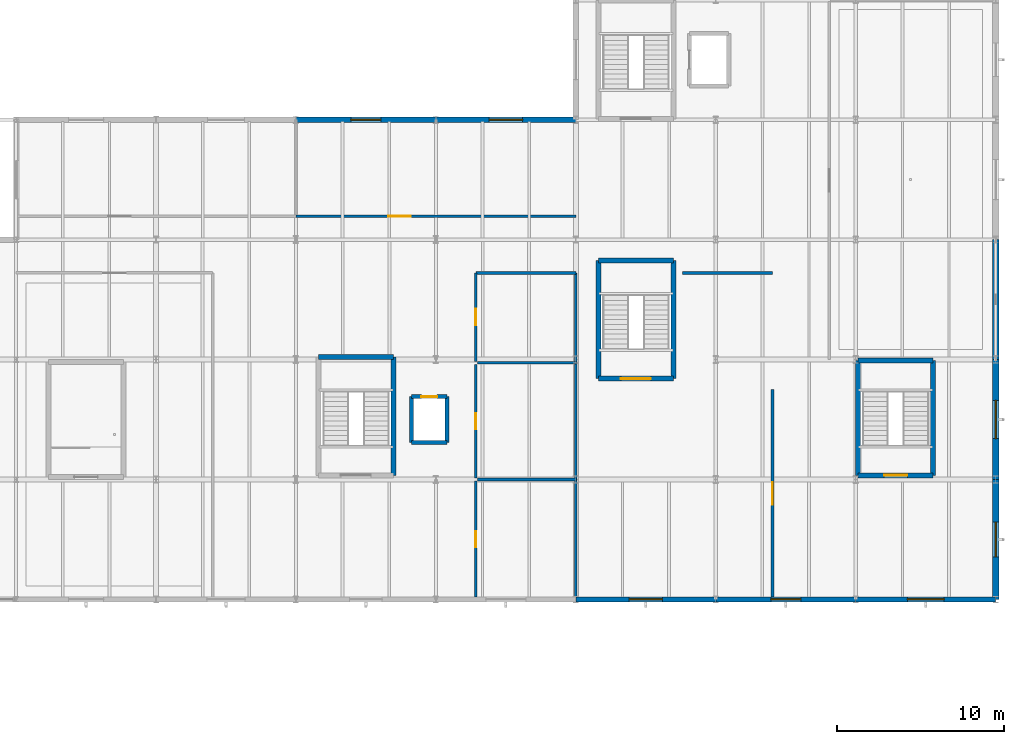
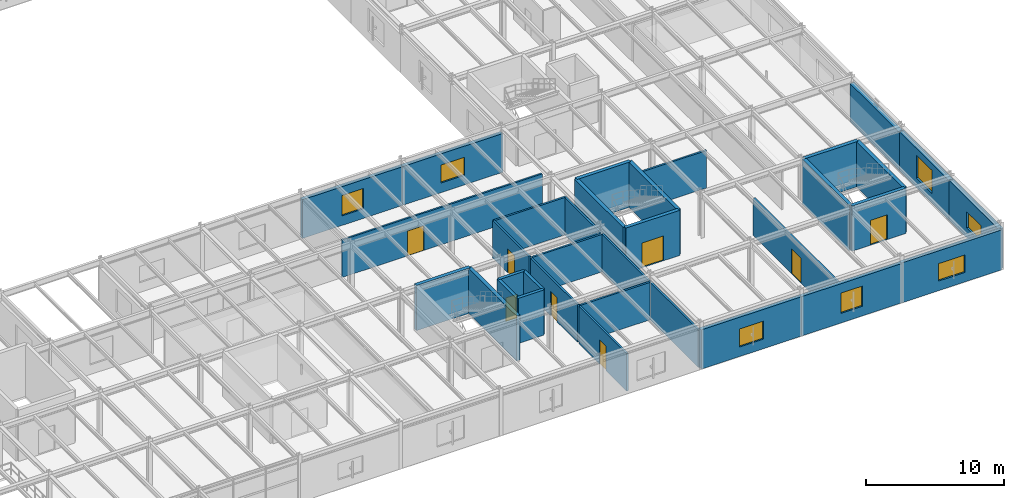
# One storey, part 67 of 109: 32 walls, 8 doors, 7 windows, 15 openings.
"""IFC4 building model written with IfcOpenShell, lengths in metres."""

from ifc_helpers import new_model, si_unit, derived_unit, direction, frame, frame_2d, origin, place, context, subcontext, project, spatial, rectangle, extrude, material, layer, layer_set, type_object, element, fill, save


model = new_model("IFC4")

# Units and contexts
model_context = context("Model", 3, precision=1e-05, world=origin(), true_north=direction((0.0, 1.0)))
body_context = subcontext(model_context, "Body", "Model", "MODEL_VIEW")
ifc_project = project(units=[si_unit("LENGTHUNIT", "METRE"), si_unit("AREAUNIT", "SQUARE_METRE"), si_unit("VOLUMEUNIT", "CUBIC_METRE"), si_unit("PLANEANGLEUNIT", "RADIAN"), si_unit("MASSUNIT", "GRAM", prefix="KILO"), derived_unit("THERMALTRANSMITTANCEUNIT", [(si_unit("MASSUNIT", "GRAM", prefix="KILO"), 1), (si_unit("TIMEUNIT", "SECOND"), -3), (si_unit("THERMODYNAMICTEMPERATUREUNIT", "KELVIN"), -1)])], contexts=[model_context])

# Site, building, storey
site_placement = place(None, origin())
site = spatial("IfcSite", under=ifc_project, at=site_placement, CompositionType="ELEMENT")
building_placement = place(site_placement, origin())
building = spatial("IfcBuilding", under=site, at=building_placement, Name="Kharveza Railside Sports Centre", CompositionType="ELEMENT")
storey_placement = place(building_placement, frame((0.0, 0.0, 4.5)))
storey = spatial("IfcBuildingStorey", under=building, at=storey_placement, Name="L01", CompositionType="ELEMENT", Elevation=4.5)

# Wall, opening, window
ifc_material_1 = material(Name="Precast concrete C40/50", Category="concrete")
ifc_layer_1 = layer(ifc_material_1, 0.3798828125, Name="Precast concrete C40/50")
ifc_layer_set_1 = layer_set([ifc_layer_1], Name="Precast concrete C40/50")
wall_type_1 = type_object("IfcWallType", Name="WL-BM380", PredefinedType="SOLIDWALL", material=ifc_layer_set_1)
wall_1_placement = place(storey_placement, frame((168.0, 7.199951171875, 0.0), z_axis=(0.0, 0.0, 1.0), x_axis=(0.0, 1.0, 0.0)))
wall_1 = element("IfcWall", 1, at=wall_1_placement, inside=storey, type_object=wall_type_1, Name="WL-EXT-L01-095", PredefinedType="SOLIDWALL", context=body_context, shape_type="SweptSolid", body=[
    extrude(rectangle(XDim=7.199951171875, YDim=0.3798828125, at=frame_2d((3.60009765625, 0.0))), origin(), (0.0, 0.0, 1.0), 3.534912109375),
])
opening_1_placement = place(wall_1_placement, frame((2.550048828125, 0.0, 0.85009765625)))
opening_1 = element("IfcOpeningElement", 2, at=opening_1_placement, cuts=wall_1, Name="Opening WN23", PredefinedType="OPENING", context=body_context, shape_type="SweptSolid", body=[
    extrude(rectangle(XDim=2.10009765625, YDim=1.449951171875, at=frame_2d((1.050048828125, 0.72509765625))), frame((0.0, 0.21484375, 0.0), z_axis=(0.0, -1.0, 0.0), x_axis=(1.0, 0.0, 0.0)), (0.0, 0.0, 1.0), 0.4296875),
])
ifc_material_2 = material(Name="Low-E solar-control laminated glass", Category="glass")
window_type_1 = type_object("IfcWindowType", Name="WN-Z07", PartitioningType="SINGLE_PANEL", PredefinedType="WINDOW", material=ifc_material_2)
window_1_placement = place(opening_1_placement, origin())
window_1 = element("IfcWindow", 3, at=window_1_placement, inside=storey, type_object=window_type_1, Name="WN-EXT-L01-038", OverallHeight=1.449951171875, OverallWidth=2.10009765625, PartitioningType="SINGLE_PANEL", PredefinedType="WINDOW", context=body_context, shape_type="SweptSolid", body=[
    extrude(rectangle(XDim=2.10009765625, YDim=1.449951171875, at=frame_2d((1.050048828125, 0.72509765625))), frame((0.0, 0.030029296875, 0.0), z_axis=(0.0, -1.0, 0.0), x_axis=(1.0, 0.0, 0.0)), (0.0, 0.0, 1.0), 0.06005859375),
])
fill(opening_1, window_1)

wall_2_placement = place(storey_placement, frame((168.0, 14.39990234375, 0.0), z_axis=(0.0, 0.0, 1.0), x_axis=(0.0, 1.0, 0.0)))
wall_2 = element("IfcWall", 4, at=wall_2_placement, inside=storey, type_object=wall_type_1, Name="WL-EXT-L01-096", PredefinedType="SOLIDWALL", context=body_context, shape_type="SweptSolid", body=[
    extrude(rectangle(XDim=7.2001953125, YDim=0.3798828125, at=frame_2d((3.60009765625, 0.0))), origin(), (0.0, 0.0, 1.0), 3.485107421875),
])
opening_2_placement = place(wall_2_placement, frame((2.449951171875, 0.0, 0.85009765625)))
opening_2 = element("IfcOpeningElement", 5, at=opening_2_placement, cuts=wall_2, Name="Opening WN29", PredefinedType="OPENING", context=body_context, shape_type="SweptSolid", body=[
    extrude(rectangle(XDim=2.300048828125, YDim=2.050048828125, at=frame_2d((1.14990234375, 1.02490234375))), frame((0.0, 0.21484375, 0.0), z_axis=(0.0, -1.0, 0.0), x_axis=(1.0, 0.0, 0.0)), (0.0, 0.0, 1.0), 0.4296875),
])
window_type_2 = type_object("IfcWindowType", Name="WN-Z13", PartitioningType="SINGLE_PANEL", PredefinedType="WINDOW", material=ifc_material_2)
window_2_placement = place(opening_2_placement, origin())
window_2 = element("IfcWindow", 6, at=window_2_placement, inside=storey, type_object=window_type_2, Name="WN-EXT-L01-039", OverallHeight=2.050048828125, OverallWidth=2.300048828125, PartitioningType="SINGLE_PANEL", PredefinedType="WINDOW", context=body_context, shape_type="SweptSolid", body=[
    extrude(rectangle(XDim=2.300048828125, YDim=2.050048828125, at=frame_2d((1.14990234375, 1.02490234375))), frame((0.0, 0.030029296875, 0.0), z_axis=(0.0, -1.0, 0.0), x_axis=(1.0, 0.0, 0.0)), (0.0, 0.0, 1.0), 0.06005859375),
])
fill(opening_2, window_2)

# Walls
wall_3_placement = place(storey_placement, frame((168.0, 21.60009765625, 0.0), z_axis=(0.0, 0.0, 1.0), x_axis=(0.0, 1.0, 0.0)))
element("IfcWall", 7, at=wall_3_placement, inside=storey, type_object=wall_type_1, Name="WL-EXT-L01-097", PredefinedType="SOLIDWALL", context=body_context, shape_type="SweptSolid", body=[
    extrude(rectangle(XDim=7.199951171875, YDim=0.3798828125, at=frame_2d((3.60009765625, 0.0))), origin(), (0.0, 0.0, 1.0), 3.385009765625),
])
ifc_material_3 = material(Name="Concrete C35/45", Category="concrete")
ifc_layer_2 = layer(ifc_material_3, 0.25, Name="Concrete C35/45")
ifc_layer_set_2 = layer_set([ifc_layer_2], Name="Concrete C35/45")
wall_type_2 = type_object("IfcWallType", Name="WL-CR250", PredefinedType="SHEAR", material=ifc_layer_set_2)
wall_4_placement = place(storey_placement, frame((132.925048828125, 16.625, 0.0), z_axis=(0.0, 0.0, 1.0), x_axis=(1.0, 0.0, 0.0)))
element("IfcWall", 8, at=wall_4_placement, inside=storey, type_object=wall_type_2, Name="WL-LFSH-LF3-L01-S", PredefinedType="SHEAR", context=body_context, shape_type="SweptSolid", body=[
    extrude(rectangle(XDim=2.14990234375, YDim=0.25, at=frame_2d((1.074951171875, 0.0))), origin(), (0.0, 0.0, 1.0), 4.0),
])
wall_5_placement = place(storey_placement, frame((135.074951171875, 16.625, 0.0), z_axis=(0.0, 0.0, 1.0), x_axis=(0.0, 1.0, 0.0)))
element("IfcWall", 9, at=wall_5_placement, inside=storey, type_object=wall_type_2, Name="WL-LFSH-LF3-L01-E", PredefinedType="SHEAR", context=body_context, shape_type="SweptSolid", body=[
    extrude(rectangle(XDim=2.75, YDim=0.25, at=frame_2d((1.375, 0.0))), origin(), (0.0, 0.0, 1.0), 4.0),
])

# Wall, opening, door
wall_6_placement = place(storey_placement, frame((135.074951171875, 19.375, 0.0), z_axis=(0.0, 0.0, 1.0), x_axis=(-1.0, 0.0, 0.0)))
wall_6 = element("IfcWall", 10, at=wall_6_placement, inside=storey, type_object=wall_type_2, Name="WL-LFSH-LF3-L01-N", PredefinedType="SHEAR", context=body_context, shape_type="SweptSolid", body=[
    extrude(rectangle(XDim=2.14990234375, YDim=0.25, at=frame_2d((1.074951171875, 0.0))), origin(), (0.0, 0.0, 1.0), 4.0),
])
opening_3_placement = place(wall_6_placement, frame((0.60009765625, 0.0, 0.0)))
opening_3 = element("IfcOpeningElement", 11, at=opening_3_placement, cuts=wall_6, Name="Opening D12", PredefinedType="OPENING", context=body_context, shape_type="SweptSolid", body=[
    extrude(rectangle(XDim=0.949951171875, YDim=2.10009765625, at=frame_2d((0.47509765625, 1.050048828125))), frame((0.0, 0.14990234375, 0.0), z_axis=(0.0, -1.0, 0.0), x_axis=(1.0, 0.0, 0.0)), (0.0, 0.0, 1.0), 0.2998046875),
])
ifc_material_4 = material(Name="Brushed stainless steel landing door", Category="steel")
door_type_1 = type_object("IfcDoorType", Name="DR-LF02", OperationType="NOTDEFINED", PredefinedType="DOOR", material=ifc_material_4)
door_1_placement = place(opening_3_placement, origin())
door_1 = element("IfcDoor", 12, at=door_1_placement, inside=storey, type_object=door_type_1, Name="DR-LD-LF3-L01", OperationType="SLIDING_TO_LEFT", OverallHeight=2.10009765625, OverallWidth=0.949951171875, PredefinedType="DOOR", context=body_context, shape_type="SweptSolid", body=[
    extrude(rectangle(XDim=0.949951171875, YDim=2.10009765625, at=frame_2d((0.47509765625, 1.050048828125))), frame((0.0, 0.02490234375, 0.0), z_axis=(0.0, -1.0, 0.0), x_axis=(1.0, 0.0, 0.0)), (0.0, 0.0, 1.0), 0.050048828125),
])
fill(opening_3, door_1)

# Walls
wall_7_placement = place(storey_placement, frame((132.925048828125, 19.375, 0.0), z_axis=(0.0, 0.0, 1.0), x_axis=(0.0, -1.0, 0.0)))
element("IfcWall", 13, at=wall_7_placement, inside=storey, type_object=wall_type_2, Name="WL-LFSH-LF3-L01-W", PredefinedType="SHEAR", context=body_context, shape_type="SweptSolid", body=[
    extrude(rectangle(XDim=2.75, YDim=0.25, at=frame_2d((1.375, 0.0))), origin(), (0.0, 0.0, 1.0), 4.0),
])
ifc_layer_3 = layer(ifc_material_3, 0.300048828125, Name="Concrete C35/45")
ifc_layer_set_3 = layer_set([ifc_layer_3], Name="Concrete C35/45")
wall_type_3 = type_object("IfcWallType", Name="WL-CR300", PredefinedType="SHEAR", material=ifc_layer_set_3)
wall_8_placement = place(storey_placement, frame((131.85009765625, 14.64990234375, 0.0), z_axis=(0.0, 0.0, 1.0), x_axis=(0.0, 1.0, 0.0)))
element("IfcWall", 14, at=wall_8_placement, inside=storey, type_object=wall_type_3, Name="WL-CORE-ST3-L01-E", PredefinedType="SHEAR", context=body_context, shape_type="SweptSolid", body=[
    extrude(rectangle(XDim=7.10009765625, YDim=0.300048828125, at=frame_2d((3.550048828125, 0.0))), origin(), (0.0, 0.0, 1.0), 4.0),
])
wall_9_placement = place(storey_placement, frame((131.85009765625, 21.75, 0.0), z_axis=(0.0, 0.0, 1.0), x_axis=(-1.0, 0.0, 0.0)))
element("IfcWall", 15, at=wall_9_placement, inside=storey, type_object=wall_type_3, Name="WL-CORE-ST3-L01-N", PredefinedType="SHEAR", context=body_context, shape_type="SweptSolid", body=[
    extrude(rectangle(XDim=4.5, YDim=0.300048828125, at=frame_2d((2.25, 0.0))), origin(), (0.0, 0.0, 1.0), 4.0),
])

# Wall, opening, door
wall_10_placement = place(storey_placement, frame((144.14990234375, 20.449951171875, 0.0), z_axis=(0.0, 0.0, 1.0), x_axis=(1.0, 0.0, 0.0)))
wall_10 = element("IfcWall", 16, at=wall_10_placement, inside=storey, type_object=wall_type_3, Name="WL-CORE-ST5-L01-S", PredefinedType="SHEAR", context=body_context, shape_type="SweptSolid", body=[
    extrude(rectangle(XDim=4.5, YDim=0.300048828125, at=frame_2d((2.25, 0.0))), origin(), (0.0, 0.0, 1.0), 4.0),
])
opening_4_placement = place(wall_10_placement, frame((1.35009765625, 0.0, 0.0)))
opening_4 = element("IfcOpeningElement", 17, at=opening_4_placement, cuts=wall_10, Name="Opening D08", PredefinedType="OPENING", context=body_context, shape_type="SweptSolid", body=[
    extrude(rectangle(XDim=1.800048828125, YDim=2.199951171875, at=frame_2d((0.89990234375, 1.10009765625))), frame((0.0, 0.1748046875, 0.0), z_axis=(0.0, -1.0, 0.0), x_axis=(1.0, 0.0, 0.0)), (0.0, 0.0, 1.0), 0.349853515625),
])
ifc_material_5 = material(Name="Fire-rated hardwood door leaf", Category="wood")
door_type_2 = type_object("IfcDoorType", Name="DR-ST01", OperationType="NOTDEFINED", PredefinedType="DOOR", material=ifc_material_5)
door_2_placement = place(opening_4_placement, frame((1.800048828125, 0.0, 0.0), z_axis=(0.0, 0.0, 1.0), x_axis=(-1.0, 0.0, 0.0)))
door_2 = element("IfcDoor", 18, at=door_2_placement, inside=storey, type_object=door_type_2, Name="DR-ST-ST5-L01", OperationType="DOUBLE_DOOR_SINGLE_SWING", OverallHeight=2.199951171875, OverallWidth=1.800048828125, PredefinedType="DOOR", context=body_context, shape_type="SweptSolid", body=[
    extrude(rectangle(XDim=1.800048828125, YDim=2.199951171875, at=frame_2d((0.89990234375, 1.10009765625))), frame((0.0, 0.02490234375, 0.0), z_axis=(0.0, -1.0, 0.0), x_axis=(1.0, 0.0, 0.0)), (0.0, 0.0, 1.0), 0.050048828125),
])
fill(opening_4, door_2)

# Walls
wall_11_placement = place(storey_placement, frame((148.64990234375, 20.449951171875, 0.0), z_axis=(0.0, 0.0, 1.0), x_axis=(0.0, 1.0, 0.0)))
element("IfcWall", 19, at=wall_11_placement, inside=storey, type_object=wall_type_3, Name="WL-CORE-ST5-L01-E", PredefinedType="SHEAR", context=body_context, shape_type="SweptSolid", body=[
    extrude(rectangle(XDim=7.10009765625, YDim=0.300048828125, at=frame_2d((3.550048828125, 0.0))), origin(), (0.0, 0.0, 1.0), 4.0),
])
wall_12_placement = place(storey_placement, frame((148.64990234375, 27.550048828125, 0.0), z_axis=(0.0, 0.0, 1.0), x_axis=(-1.0, 0.0, 0.0)))
element("IfcWall", 20, at=wall_12_placement, inside=storey, type_object=wall_type_3, Name="WL-CORE-ST5-L01-N", PredefinedType="SHEAR", context=body_context, shape_type="SweptSolid", body=[
    extrude(rectangle(XDim=4.5, YDim=0.300048828125, at=frame_2d((2.25, 0.0))), origin(), (0.0, 0.0, 1.0), 4.0),
])
wall_13_placement = place(storey_placement, frame((144.14990234375, 27.550048828125, 0.0), z_axis=(0.0, 0.0, 1.0), x_axis=(0.0, -1.0, 0.0)))
element("IfcWall", 21, at=wall_13_placement, inside=storey, type_object=wall_type_3, Name="WL-CORE-ST5-L01-W", PredefinedType="SHEAR", context=body_context, shape_type="SweptSolid", body=[
    extrude(rectangle(XDim=7.10009765625, YDim=0.300048828125, at=frame_2d((3.550048828125, 0.0))), origin(), (0.0, 0.0, 1.0), 4.0),
])

# Wall, opening, door
wall_14_placement = place(storey_placement, frame((159.75, 14.64990234375, 0.0), z_axis=(0.0, 0.0, 1.0), x_axis=(1.0, 0.0, 0.0)))
wall_14 = element("IfcWall", 22, at=wall_14_placement, inside=storey, type_object=wall_type_3, Name="WL-CORE-ST11-L01-S", PredefinedType="SHEAR", context=body_context, shape_type="SweptSolid", body=[
    extrude(rectangle(XDim=4.5, YDim=0.300048828125, at=frame_2d((2.25, 0.0))), origin(), (0.0, 0.0, 1.0), 4.0),
])
opening_5_placement = place(wall_14_placement, frame((1.550048828125, 0.0, 0.0)))
opening_5 = element("IfcOpeningElement", 23, at=opening_5_placement, cuts=wall_14, Name="Opening D09", PredefinedType="OPENING", context=body_context, shape_type="SweptSolid", body=[
    extrude(rectangle(XDim=1.39990234375, YDim=2.199951171875, at=frame_2d((0.699951171875, 1.10009765625))), frame((0.0, 0.1748046875, 0.0), z_axis=(0.0, -1.0, 0.0), x_axis=(1.0, 0.0, 0.0)), (0.0, 0.0, 1.0), 0.349853515625),
])
door_type_3 = type_object("IfcDoorType", Name="DR-ST02", OperationType="NOTDEFINED", PredefinedType="DOOR", material=ifc_material_5)
door_3_placement = place(opening_5_placement, frame((1.39990234375, 0.0, 0.0), z_axis=(0.0, 0.0, 1.0), x_axis=(-1.0, 0.0, 0.0)))
door_3 = element("IfcDoor", 24, at=door_3_placement, inside=storey, type_object=door_type_3, Name="DR-ST-ST11-L01", OperationType="SINGLE_SWING_LEFT", OverallHeight=2.199951171875, OverallWidth=1.39990234375, PredefinedType="DOOR", context=body_context, shape_type="SweptSolid", body=[
    extrude(rectangle(XDim=1.39990234375, YDim=2.199951171875, at=frame_2d((0.699951171875, 1.10009765625))), frame((0.0, 0.02490234375, 0.0), z_axis=(0.0, -1.0, 0.0), x_axis=(1.0, 0.0, 0.0)), (0.0, 0.0, 1.0), 0.050048828125),
])
fill(opening_5, door_3)

# Walls
wall_15_placement = place(storey_placement, frame((164.25, 14.64990234375, 0.0), z_axis=(0.0, 0.0, 1.0), x_axis=(0.0, 1.0, 0.0)))
element("IfcWall", 25, at=wall_15_placement, inside=storey, type_object=wall_type_3, Name="WL-CORE-ST11-L01-E", PredefinedType="SHEAR", context=body_context, shape_type="SweptSolid", body=[
    extrude(rectangle(XDim=6.900146484375, YDim=0.300048828125, at=frame_2d((3.4501953125, 0.0))), origin(), (0.0, 0.0, 1.0), 4.0),
])
wall_16_placement = place(storey_placement, frame((164.25, 21.550048828125, 0.0), z_axis=(0.0, 0.0, 1.0), x_axis=(-1.0, 0.0, 0.0)))
element("IfcWall", 26, at=wall_16_placement, inside=storey, type_object=wall_type_3, Name="WL-CORE-ST11-L01-N", PredefinedType="SHEAR", context=body_context, shape_type="SweptSolid", body=[
    extrude(rectangle(XDim=4.5, YDim=0.300048828125, at=frame_2d((2.25, 0.0))), origin(), (0.0, 0.0, 1.0), 4.0),
])
wall_17_placement = place(storey_placement, frame((159.75, 21.550048828125, 0.0), z_axis=(0.0, 0.0, 1.0), x_axis=(0.0, -1.0, 0.0)))
element("IfcWall", 27, at=wall_17_placement, inside=storey, type_object=wall_type_3, Name="WL-CORE-ST11-L01-W", PredefinedType="SHEAR", context=body_context, shape_type="SweptSolid", body=[
    extrude(rectangle(XDim=6.900146484375, YDim=0.300048828125, at=frame_2d((3.4501953125, 0.0))), origin(), (0.0, 0.0, 1.0), 4.0),
])

# Wall, opening, window
ifc_layer_4 = layer(ifc_material_1, 0.320068359375, Name="Precast concrete C40/50")
ifc_layer_set_4 = layer_set([ifc_layer_4], Name="Precast concrete C40/50")
wall_type_4 = type_object("IfcWallType", Name="WL-EX320", PredefinedType="STANDARD", material=ifc_layer_set_4)
wall_18_placement = place(storey_placement, frame((142.800048828125, 7.199951171875, 0.0), z_axis=(0.0, 0.0, 1.0), x_axis=(1.0, 0.0, 0.0)))
wall_18 = element("IfcWall", 28, at=wall_18_placement, inside=storey, type_object=wall_type_4, Name="WL-EXT-L01-092", PredefinedType="STANDARD", context=body_context, shape_type="SweptSolid", body=[
    extrude(rectangle(XDim=8.39990234375, YDim=0.320068359375, at=frame_2d((4.199951171875, 0.0))), origin(), (0.0, 0.0, 1.0), 3.485107421875),
])
opening_6_placement = place(wall_18_placement, frame((3.199951171875, 0.0, 0.85009765625)))
opening_6 = element("IfcOpeningElement", 29, at=opening_6_placement, cuts=wall_18, Name="Opening WN15", PredefinedType="OPENING", context=body_context, shape_type="SweptSolid", body=[
    extrude(rectangle(XDim=2.0, YDim=1.60009765625, at=frame_2d((1.0, 0.800048828125))), frame((0.0, 0.18505859375, 0.0), z_axis=(0.0, -1.0, 0.0), x_axis=(1.0, 0.0, 0.0)), (0.0, 0.0, 1.0), 0.369873046875),
])
window_type_3 = type_object("IfcWindowType", Name="WN-F15", PartitioningType="SINGLE_PANEL", PredefinedType="WINDOW", material=ifc_material_2)
window_3_placement = place(opening_6_placement, origin())
window_3 = element("IfcWindow", 30, at=window_3_placement, inside=storey, type_object=window_type_3, Name="WN-EXT-L01-035", OverallHeight=1.60009765625, OverallWidth=2.0, PartitioningType="SINGLE_PANEL", PredefinedType="WINDOW", context=body_context, shape_type="SweptSolid", body=[
    extrude(rectangle(XDim=2.0, YDim=1.60009765625, at=frame_2d((1.0, 0.800048828125))), frame((0.0, 0.030029296875, 0.0), z_axis=(0.0, -1.0, 0.0), x_axis=(1.0, 0.0, 0.0)), (0.0, 0.0, 1.0), 0.06005859375),
])
fill(opening_6, window_3)

wall_19_placement = place(storey_placement, frame((151.199951171875, 7.199951171875, 0.0), z_axis=(0.0, 0.0, 1.0), x_axis=(1.0, 0.0, 0.0)))
wall_19 = element("IfcWall", 31, at=wall_19_placement, inside=storey, type_object=wall_type_4, Name="WL-EXT-L01-093", PredefinedType="STANDARD", context=body_context, shape_type="SweptSolid", body=[
    extrude(rectangle(XDim=8.400146484375, YDim=0.320068359375, at=frame_2d((4.2001953125, 0.0))), origin(), (0.0, 0.0, 1.0), 3.485107421875),
])
opening_7_placement = place(wall_19_placement, frame((3.300048828125, 0.0, 0.85009765625)))
opening_7 = element("IfcOpeningElement", 32, at=opening_7_placement, cuts=wall_19, Name="Opening WN05", PredefinedType="OPENING", context=body_context, shape_type="SweptSolid", body=[
    extrude(rectangle(XDim=1.800048828125, YDim=1.800048828125, at=frame_2d((0.89990234375, 0.89990234375))), frame((0.0, 0.18505859375, 0.0), z_axis=(0.0, -1.0, 0.0), x_axis=(1.0, 0.0, 0.0)), (0.0, 0.0, 1.0), 0.369873046875),
])
window_type_4 = type_object("IfcWindowType", Name="WN-F05", PartitioningType="SINGLE_PANEL", PredefinedType="WINDOW", material=ifc_material_2)
window_4_placement = place(opening_7_placement, origin())
window_4 = element("IfcWindow", 33, at=window_4_placement, inside=storey, type_object=window_type_4, Name="WN-EXT-L01-036", OverallHeight=1.800048828125, OverallWidth=1.800048828125, PartitioningType="SINGLE_PANEL", PredefinedType="WINDOW", context=body_context, shape_type="SweptSolid", body=[
    extrude(rectangle(XDim=1.800048828125, YDim=1.800048828125, at=frame_2d((0.89990234375, 0.89990234375))), frame((0.0, 0.030029296875, 0.0), z_axis=(0.0, -1.0, 0.0), x_axis=(1.0, 0.0, 0.0)), (0.0, 0.0, 1.0), 0.06005859375),
])
fill(opening_7, window_4)

wall_20_placement = place(storey_placement, frame((159.60009765625, 7.199951171875, 0.0), z_axis=(0.0, 0.0, 1.0), x_axis=(1.0, 0.0, 0.0)))
wall_20 = element("IfcWall", 34, at=wall_20_placement, inside=storey, type_object=wall_type_4, Name="WL-EXT-L01-094", PredefinedType="STANDARD", context=body_context, shape_type="SweptSolid", body=[
    extrude(rectangle(XDim=8.39990234375, YDim=0.320068359375, at=frame_2d((4.199951171875, 0.0))), origin(), (0.0, 0.0, 1.0), 3.534912109375),
])
opening_8_placement = place(wall_20_placement, frame((3.10009765625, 0.0, 0.85009765625)))
opening_8 = element("IfcOpeningElement", 35, at=opening_8_placement, cuts=wall_20, Name="Opening WN22", PredefinedType="OPENING", context=body_context, shape_type="SweptSolid", body=[
    extrude(rectangle(XDim=2.199951171875, YDim=1.550048828125, at=frame_2d((1.10009765625, 0.77490234375))), frame((0.0, 0.18505859375, 0.0), z_axis=(0.0, -1.0, 0.0), x_axis=(1.0, 0.0, 0.0)), (0.0, 0.0, 1.0), 0.369873046875),
])
window_type_5 = type_object("IfcWindowType", Name="WN-Z06", PartitioningType="SINGLE_PANEL", PredefinedType="WINDOW", material=ifc_material_2)
window_5_placement = place(opening_8_placement, origin())
window_5 = element("IfcWindow", 36, at=window_5_placement, inside=storey, type_object=window_type_5, Name="WN-EXT-L01-037", OverallHeight=1.550048828125, OverallWidth=2.199951171875, PartitioningType="SINGLE_PANEL", PredefinedType="WINDOW", context=body_context, shape_type="SweptSolid", body=[
    extrude(rectangle(XDim=2.199951171875, YDim=1.550048828125, at=frame_2d((1.10009765625, 0.77490234375))), frame((0.0, 0.030029296875, 0.0), z_axis=(0.0, -1.0, 0.0), x_axis=(1.0, 0.0, 0.0)), (0.0, 0.0, 1.0), 0.06005859375),
])
fill(opening_8, window_5)

wall_21_placement = place(storey_placement, frame((142.800048828125, 36.0, 0.0), z_axis=(0.0, 0.0, 1.0), x_axis=(-1.0, 0.0, 0.0)))
wall_21 = element("IfcWall", 37, at=wall_21_placement, inside=storey, type_object=wall_type_4, Name="WL-EXT-L01-134", PredefinedType="STANDARD", context=body_context, shape_type="SweptSolid", body=[
    extrude(rectangle(XDim=8.400146484375, YDim=0.320068359375, at=frame_2d((4.2001953125, 0.0))), origin(), (0.0, 0.0, 1.0), 3.43505859375),
])
opening_9_placement = place(wall_21_placement, frame((3.199951171875, 0.0, 0.85009765625)))
opening_9 = element("IfcOpeningElement", 38, at=opening_9_placement, cuts=wall_21, Name="Opening WN15", PredefinedType="OPENING", context=body_context, shape_type="SweptSolid", body=[
    extrude(rectangle(XDim=2.0, YDim=1.60009765625, at=frame_2d((1.0, 0.800048828125))), frame((0.0, 0.18505859375, 0.0), z_axis=(0.0, -1.0, 0.0), x_axis=(1.0, 0.0, 0.0)), (0.0, 0.0, 1.0), 0.369873046875),
])
window_6_placement = place(opening_9_placement, origin())
window_6 = element("IfcWindow", 39, at=window_6_placement, inside=storey, type_object=window_type_3, Name="WN-EXT-L01-066", OverallHeight=1.60009765625, OverallWidth=2.0, PartitioningType="SINGLE_PANEL", PredefinedType="WINDOW", context=body_context, shape_type="SweptSolid", body=[
    extrude(rectangle(XDim=2.0, YDim=1.60009765625, at=frame_2d((1.0, 0.800048828125))), frame((0.0, 0.030029296875, 0.0), z_axis=(0.0, -1.0, 0.0), x_axis=(1.0, 0.0, 0.0)), (0.0, 0.0, 1.0), 0.06005859375),
])
fill(opening_9, window_6)

wall_22_placement = place(storey_placement, frame((134.39990234375, 36.0, 0.0), z_axis=(0.0, 0.0, 1.0), x_axis=(-1.0, 0.0, 0.0)))
wall_22 = element("IfcWall", 40, at=wall_22_placement, inside=storey, type_object=wall_type_4, Name="WL-EXT-L01-135", PredefinedType="STANDARD", context=body_context, shape_type="SweptSolid", body=[
    extrude(rectangle(XDim=8.39990234375, YDim=0.320068359375, at=frame_2d((4.199951171875, 0.0))), origin(), (0.0, 0.0, 1.0), 3.43505859375),
])
opening_10_placement = place(wall_22_placement, frame((3.300048828125, 0.0, 0.85009765625)))
opening_10 = element("IfcOpeningElement", 41, at=opening_10_placement, cuts=wall_22, Name="Opening WN05", PredefinedType="OPENING", context=body_context, shape_type="SweptSolid", body=[
    extrude(rectangle(XDim=1.800048828125, YDim=1.800048828125, at=frame_2d((0.89990234375, 0.89990234375))), frame((0.0, 0.18505859375, 0.0), z_axis=(0.0, -1.0, 0.0), x_axis=(1.0, 0.0, 0.0)), (0.0, 0.0, 1.0), 0.369873046875),
])
window_7_placement = place(opening_10_placement, origin())
window_7 = element("IfcWindow", 42, at=window_7_placement, inside=storey, type_object=window_type_4, Name="WN-EXT-L01-067", OverallHeight=1.800048828125, OverallWidth=1.800048828125, PartitioningType="SINGLE_PANEL", PredefinedType="WINDOW", context=body_context, shape_type="SweptSolid", body=[
    extrude(rectangle(XDim=1.800048828125, YDim=1.800048828125, at=frame_2d((0.89990234375, 0.89990234375))), frame((0.0, 0.030029296875, 0.0), z_axis=(0.0, -1.0, 0.0), x_axis=(1.0, 0.0, 0.0)), (0.0, 0.0, 1.0), 0.06005859375),
])
fill(opening_10, window_7)

# Wall, opening, door
ifc_material_6 = material(Name="Gypsum board acoustic stud partition")
ifc_layer_5 = layer(ifc_material_6, 0.14501953125, Name="Gypsum board acoustic stud partition")
ifc_layer_set_5 = layer_set([ifc_layer_5], Name="Gypsum board acoustic stud partition")
wall_type_5 = type_object("IfcWallType", Name="WL-PT145", PredefinedType="PARTITIONING", material=ifc_layer_set_5)
wall_23_placement = place(storey_placement, frame((126.0, 30.199951171875, 0.0), z_axis=(0.0, 0.0, 1.0), x_axis=(1.0, 0.0, 0.0)))
wall_23 = element("IfcWall", 43, at=wall_23_placement, inside=storey, type_object=wall_type_5, Name="WL-INT-L01-049", PredefinedType="PARTITIONING", context=body_context, shape_type="SweptSolid", body=[
    extrude(rectangle(XDim=16.800048828125, YDim=0.14501953125, at=frame_2d((8.39990234375, 0.0))), origin(), (0.0, 0.0, 1.0), 3.320068359375),
])
opening_11_placement = place(wall_23_placement, frame((5.52490234375, 0.0, 0.0)))
opening_11 = element("IfcOpeningElement", 44, at=opening_11_placement, cuts=wall_23, Name="Opening D16", PredefinedType="OPENING", context=body_context, shape_type="SweptSolid", body=[
    extrude(rectangle(XDim=1.35009765625, YDim=2.199951171875, at=frame_2d((0.675048828125, 1.10009765625))), frame((0.0, 0.097412109375, 0.0), z_axis=(0.0, -1.0, 0.0), x_axis=(1.0, 0.0, 0.0)), (0.0, 0.0, 1.0), 0.19482421875),
])
door_type_4 = type_object("IfcDoorType", Name="DR-IN04", OperationType="NOTDEFINED", PredefinedType="DOOR", material=ifc_material_5)
door_4_placement = place(opening_11_placement, origin())
door_4 = element("IfcDoor", 45, at=door_4_placement, inside=storey, type_object=door_type_4, Name="DR-INT-L01-029", OperationType="SINGLE_SWING_RIGHT", OverallHeight=2.199951171875, OverallWidth=1.35009765625, PredefinedType="DOOR", context=body_context, shape_type="SweptSolid", body=[
    extrude(rectangle(XDim=1.35009765625, YDim=2.199951171875, at=frame_2d((0.675048828125, 1.10009765625))), frame((0.0, 0.02490234375, 0.0), z_axis=(0.0, -1.0, 0.0), x_axis=(1.0, 0.0, 0.0)), (0.0, 0.0, 1.0), 0.050048828125),
])
fill(opening_11, door_4)

ifc_layer_6 = layer(ifc_material_3, 0.159912109375, Name="Concrete C35/45")
ifc_layer_set_6 = layer_set([ifc_layer_6], Name="Concrete C35/45")
wall_type_6 = type_object("IfcWallType", Name="WL-PT160", PredefinedType="PARTITIONING", material=ifc_layer_set_6)
wall_24_placement = place(storey_placement, frame((136.800048828125, 7.35009765625, 0.0), z_axis=(0.0, 0.0, 1.0), x_axis=(0.0, 1.0, 0.0)))
wall_24 = element("IfcWall", 46, at=wall_24_placement, inside=storey, type_object=wall_type_6, Name="WL-INT-L01-051", PredefinedType="PARTITIONING", context=body_context, shape_type="SweptSolid", body=[
    extrude(rectangle(XDim=6.949951171875, YDim=0.159912109375, at=frame_2d((3.47509765625, 0.0))), origin(), (0.0, 0.0, 1.0), 3.320068359375),
])
opening_12_placement = place(wall_24_placement, frame((3.0, 0.0, 0.0)))
opening_12 = element("IfcOpeningElement", 47, at=opening_12_placement, cuts=wall_24, Name="Opening D19", PredefinedType="OPENING", context=body_context, shape_type="SweptSolid", body=[
    extrude(rectangle(XDim=0.949951171875, YDim=2.14990234375, at=frame_2d((0.47509765625, 1.074951171875))), frame((0.0, 0.10498046875, 0.0), z_axis=(0.0, -1.0, 0.0), x_axis=(1.0, 0.0, 0.0)), (0.0, 0.0, 1.0), 0.209716796875),
])
door_type_5 = type_object("IfcDoorType", Name="DR-IN07", OperationType="NOTDEFINED", PredefinedType="DOOR", material=ifc_material_5)
door_5_placement = place(opening_12_placement, frame((0.949951171875, 0.0, 0.0), z_axis=(0.0, 0.0, 1.0), x_axis=(-1.0, 0.0, 0.0)))
door_5 = element("IfcDoor", 48, at=door_5_placement, inside=storey, type_object=door_type_5, Name="DR-INT-L01-030", OperationType="SINGLE_SWING_LEFT", OverallHeight=2.14990234375, OverallWidth=0.949951171875, PredefinedType="DOOR", context=body_context, shape_type="SweptSolid", body=[
    extrude(rectangle(XDim=0.949951171875, YDim=2.14990234375, at=frame_2d((0.47509765625, 1.074951171875))), frame((0.0, 0.02490234375, 0.0), z_axis=(0.0, -1.0, 0.0), x_axis=(1.0, 0.0, 0.0)), (0.0, 0.0, 1.0), 0.050048828125),
])
fill(opening_12, door_5)

wall_25_placement = place(storey_placement, frame((136.800048828125, 14.5, 0.0), z_axis=(0.0, 0.0, 1.0), x_axis=(0.0, 1.0, 0.0)))
wall_25 = element("IfcWall", 49, at=wall_25_placement, inside=storey, type_object=wall_type_6, Name="WL-INT-L01-052", PredefinedType="PARTITIONING", context=body_context, shape_type="SweptSolid", body=[
    extrude(rectangle(XDim=6.800048828125, YDim=0.159912109375, at=frame_2d((3.39990234375, 0.0))), origin(), (0.0, 0.0, 1.0), 3.320068359375),
])
opening_13_placement = place(wall_25_placement, frame((2.925048828125, 0.0, 0.0)))
opening_13 = element("IfcOpeningElement", 50, at=opening_13_placement, cuts=wall_25, Name="Opening D19", PredefinedType="OPENING", context=body_context, shape_type="SweptSolid", body=[
    extrude(rectangle(XDim=0.949951171875, YDim=2.14990234375, at=frame_2d((0.47509765625, 1.074951171875))), frame((0.0, 0.10498046875, 0.0), z_axis=(0.0, -1.0, 0.0), x_axis=(1.0, 0.0, 0.0)), (0.0, 0.0, 1.0), 0.209716796875),
])
door_6_placement = place(opening_13_placement, origin())
door_6 = element("IfcDoor", 51, at=door_6_placement, inside=storey, type_object=door_type_5, Name="DR-INT-L01-031", OperationType="SINGLE_SWING_RIGHT", OverallHeight=2.14990234375, OverallWidth=0.949951171875, PredefinedType="DOOR", context=body_context, shape_type="SweptSolid", body=[
    extrude(rectangle(XDim=0.949951171875, YDim=2.14990234375, at=frame_2d((0.47509765625, 1.074951171875))), frame((0.0, 0.02490234375, 0.0), z_axis=(0.0, -1.0, 0.0), x_axis=(1.0, 0.0, 0.0)), (0.0, 0.0, 1.0), 0.050048828125),
])
fill(opening_13, door_6)

wall_26_placement = place(storey_placement, frame((136.800048828125, 21.5, 0.0), z_axis=(0.0, 0.0, 1.0), x_axis=(0.0, 1.0, 0.0)))
wall_26 = element("IfcWall", 52, at=wall_26_placement, inside=storey, type_object=wall_type_6, Name="WL-INT-L01-053", PredefinedType="PARTITIONING", context=body_context, shape_type="SweptSolid", body=[
    extrude(rectangle(XDim=5.300048828125, YDim=0.159912109375, at=frame_2d((2.64990234375, 0.0))), origin(), (0.0, 0.0, 1.0), 3.320068359375),
])
opening_14_placement = place(wall_26_placement, frame((2.14990234375, 0.0, 0.0)))
opening_14 = element("IfcOpeningElement", 53, at=opening_14_placement, cuts=wall_26, Name="Opening D18", PredefinedType="OPENING", context=body_context, shape_type="SweptSolid", body=[
    extrude(rectangle(XDim=1.0, YDim=2.14990234375, at=frame_2d((0.5, 1.074951171875))), frame((0.0, 0.10498046875, 0.0), z_axis=(0.0, -1.0, 0.0), x_axis=(1.0, 0.0, 0.0)), (0.0, 0.0, 1.0), 0.209716796875),
])
door_type_6 = type_object("IfcDoorType", Name="DR-IN06", OperationType="NOTDEFINED", PredefinedType="DOOR", material=ifc_material_5)
door_7_placement = place(opening_14_placement, origin())
door_7 = element("IfcDoor", 54, at=door_7_placement, inside=storey, type_object=door_type_6, Name="DR-INT-L01-032", OperationType="SINGLE_SWING_LEFT", OverallHeight=2.14990234375, OverallWidth=1.0, PredefinedType="DOOR", context=body_context, shape_type="SweptSolid", body=[
    extrude(rectangle(XDim=1.0, YDim=2.14990234375, at=frame_2d((0.5, 1.074951171875))), frame((0.0, 0.02490234375, 0.0), z_axis=(0.0, -1.0, 0.0), x_axis=(1.0, 0.0, 0.0)), (0.0, 0.0, 1.0), 0.050048828125),
])
fill(opening_14, door_7)

# Walls
for number, where, z_axis, x_axis, name in (
    (55, (136.89990234375, 14.39990234375, 0.0), (0.0, 0.0, 1.0), (1.0, 0.0, 0.0), "WL-INT-L01-054"),
    (56, (136.89990234375, 21.39990234375, 0.0), (0.0, 0.0, 1.0), (1.0, 0.0, 0.0), "WL-INT-L01-055"),
):
    element("IfcWall", number, at=place(storey_placement, frame(where, z_axis=z_axis, x_axis=x_axis)), inside=storey, type_object=wall_type_6, Name=name, PredefinedType="PARTITIONING", context=body_context, shape_type="SweptSolid", body=[
        extrude(rectangle(XDim=5.900146484375, YDim=0.159912109375, at=frame_2d((2.9501953125, 0.0))), origin(), (0.0, 0.0, 1.0), 3.320068359375),
    ])
wall_27_placement = place(storey_placement, frame((136.800048828125, 26.800048828125, 0.0), z_axis=(0.0, 0.0, 1.0), x_axis=(1.0, 0.0, 0.0)))
element("IfcWall", 57, at=wall_27_placement, inside=storey, type_object=wall_type_6, Name="WL-INT-L01-056", PredefinedType="PARTITIONING", context=body_context, shape_type="SweptSolid", body=[
    extrude(rectangle(XDim=6.0, YDim=0.159912109375, at=frame_2d((3.0, 0.0))), origin(), (0.0, 0.0, 1.0), 3.320068359375),
])
wall_28_placement = place(storey_placement, frame((142.800048828125, 7.35009765625, 0.0), z_axis=(0.0, 0.0, 1.0), x_axis=(0.0, 1.0, 0.0)))
element("IfcWall", 58, at=wall_28_placement, inside=storey, type_object=wall_type_6, Name="WL-INT-L01-057", PredefinedType="PARTITIONING", context=body_context, shape_type="SweptSolid", body=[
    extrude(rectangle(XDim=19.449951171875, YDim=0.159912109375, at=frame_2d((9.72509765625, 0.0))), origin(), (0.0, 0.0, 1.0), 3.320068359375),
])

# Wall, opening, door
wall_29_placement = place(storey_placement, frame((154.60009765625, 7.35009765625, 0.0), z_axis=(0.0, 0.0, 1.0), x_axis=(0.0, 1.0, 0.0)))
wall_29 = element("IfcWall", 59, at=wall_29_placement, inside=storey, type_object=wall_type_6, Name="WL-INT-L01-058", PredefinedType="PARTITIONING", context=body_context, shape_type="SweptSolid", body=[
    extrude(rectangle(XDim=12.449951171875, YDim=0.159912109375, at=frame_2d((6.22509765625, 0.0))), origin(), (0.0, 0.0, 1.0), 3.320068359375),
])
opening_15_placement = place(wall_29_placement, frame((5.550048828125, 0.0, 0.0)))
opening_15 = element("IfcOpeningElement", 60, at=opening_15_placement, cuts=wall_29, Name="Opening D16", PredefinedType="OPENING", context=body_context, shape_type="SweptSolid", body=[
    extrude(rectangle(XDim=1.35009765625, YDim=2.199951171875, at=frame_2d((0.675048828125, 1.10009765625))), frame((0.0, 0.10498046875, 0.0), z_axis=(0.0, -1.0, 0.0), x_axis=(1.0, 0.0, 0.0)), (0.0, 0.0, 1.0), 0.209716796875),
])
door_8_placement = place(opening_15_placement, frame((1.35009765625, 0.0, 0.0), z_axis=(0.0, 0.0, 1.0), x_axis=(-1.0, 0.0, 0.0)))
door_8 = element("IfcDoor", 61, at=door_8_placement, inside=storey, type_object=door_type_4, Name="DR-INT-L01-033", OperationType="SINGLE_SWING_RIGHT", OverallHeight=2.199951171875, OverallWidth=1.35009765625, PredefinedType="DOOR", context=body_context, shape_type="SweptSolid", body=[
    extrude(rectangle(XDim=1.35009765625, YDim=2.199951171875, at=frame_2d((0.675048828125, 1.10009765625))), frame((0.0, 0.02490234375, 0.0), z_axis=(0.0, -1.0, 0.0), x_axis=(1.0, 0.0, 0.0)), (0.0, 0.0, 1.0), 0.050048828125),
])
fill(opening_15, door_8)

# Wall
wall_30_placement = place(storey_placement, frame((149.199951171875, 26.800048828125, 0.0), z_axis=(0.0, 0.0, 1.0), x_axis=(1.0, 0.0, 0.0)))
element("IfcWall", 62, at=wall_30_placement, inside=storey, type_object=wall_type_6, Name="WL-INT-L01-059", PredefinedType="PARTITIONING", context=body_context, shape_type="SweptSolid", body=[
    extrude(rectangle(XDim=5.400146484375, YDim=0.159912109375, at=frame_2d((2.7001953125, 0.0))), origin(), (0.0, 0.0, 1.0), 3.320068359375),
])

save(model, "model.ifc")
